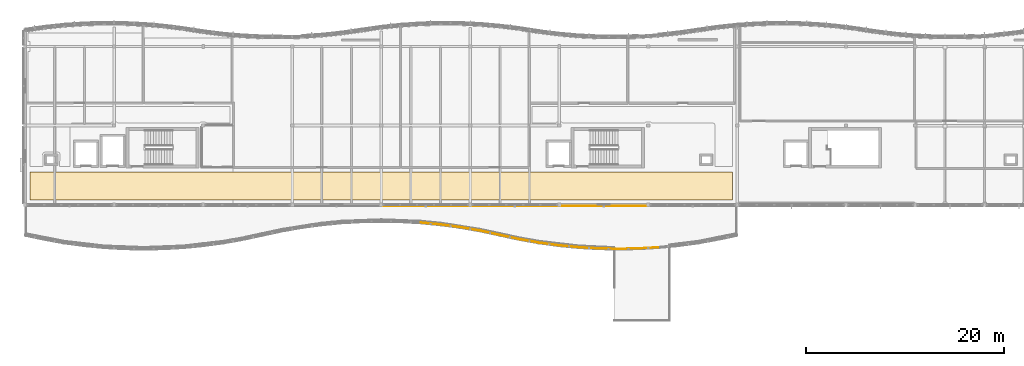
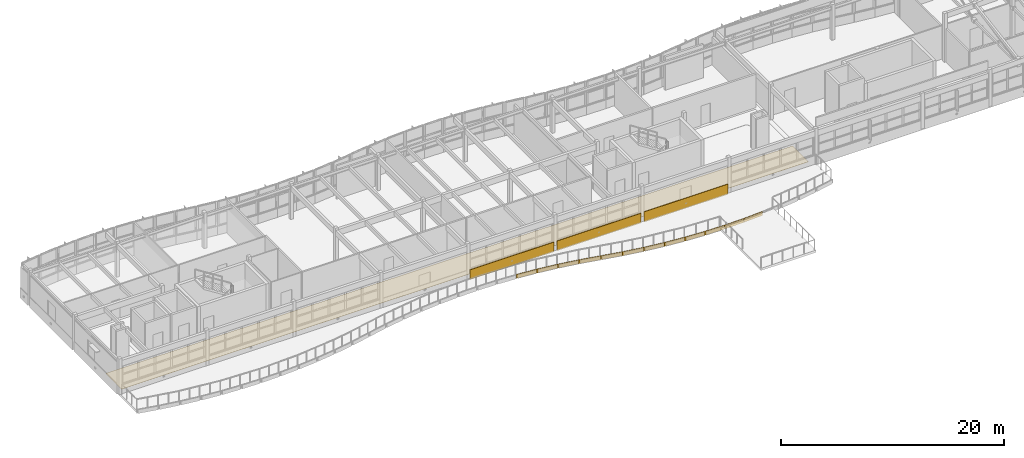
# One storey, part 30 of 33: 16 coverings.
"""IFC4 building model written with IfcOpenShell, lengths in metres."""

from ifc_helpers import new_model, si_unit, direction, frame, origin, place, context, subcontext, project, spatial, polyline, outline, extrude, material, layer, layer_set, type_object, element, save


model = new_model("IFC4")

# Units and contexts
model_context = context("Model", 3, precision=1e-05, world=origin(), true_north=direction((0.0, 1.0)))
body_context = subcontext(model_context, "Body", "Model", "MODEL_VIEW")
ifc_project = project(units=[si_unit("LENGTHUNIT", "METRE"), si_unit("AREAUNIT", "SQUARE_METRE"), si_unit("VOLUMEUNIT", "CUBIC_METRE"), si_unit("PLANEANGLEUNIT", "RADIAN"), si_unit("MASSUNIT", "GRAM", prefix="KILO")], contexts=[model_context])

# Site, building, storey
site_placement = place(None, origin())
site = spatial("IfcSite", under=ifc_project, at=site_placement, CompositionType="ELEMENT")
building_placement = place(site_placement, origin())
building = spatial("IfcBuilding", under=site, at=building_placement, Name="Tonlespit Floodbar School", CompositionType="ELEMENT")
storey_placement = place(building_placement, frame((0.0, 0.0, 16.199951171875)))
storey = spatial("IfcBuildingStorey", under=building, at=storey_placement, Name="L04", CompositionType="ELEMENT", Elevation=16.199951171875)

# Coverings
ifc_material_1 = material(Name="White Architectural Aluminium", Category="aluminium")
ifc_layer_1 = layer(ifc_material_1, 0.050048828125)
ifc_layer_set_1 = layer_set([ifc_layer_1], Name="White Architectural Aluminium")
covering_type_1 = type_object("IfcCoveringType", Name="Cladding_WhiteBand_50", PredefinedType="CLADDING", material=ifc_layer_set_1)
covering_1_placement = place(storey_placement, frame((0.0, 0.0, -0.119873046875)))
element("IfcCovering", 1, at=covering_1_placement, inside=storey, type_object=covering_type_1, Name="L04 curved white spandrel cladding 0334", PredefinedType="CLADDING", context=body_context, shape_type="SweptSolid", body=[
    extrude(outline(polyline([(106.840087890625, 103.8798828125), (98.159912109375, 103.8798828125), (98.159912109375, 103.830078125), (106.840087890625, 103.830078125), (106.840087890625, 103.8798828125)])), origin(), (0.0, 0.0, 1.0), 1.119873046875),
])
covering_2_placement = place(storey_placement, frame((0.0, 0.0, -0.119873046875)))
element("IfcCovering", 2, at=covering_2_placement, inside=storey, type_object=covering_type_1, Name="L04 curved white spandrel cladding 0335", PredefinedType="CLADDING", context=body_context, shape_type="SweptSolid", body=[
    extrude(outline(polyline([(97.840087890625, 103.89990234375), (89.159912109375, 103.89990234375), (89.159912109375, 103.85009765625), (97.840087890625, 103.85009765625), (97.840087890625, 103.89990234375)])), origin(), (0.0, 0.0, 1.0), 1.06982421875),
])
covering_3_placement = place(storey_placement, frame((0.0, 0.0, -0.119873046875)))
element("IfcCovering", 3, at=covering_3_placement, inside=storey, type_object=covering_type_1, Name="L04 curved white spandrel cladding 0336", PredefinedType="CLADDING", context=body_context, shape_type="SweptSolid", body=[
    extrude(outline(polyline([(88.840087890625, 103.89990234375), (80.159912109375, 103.89990234375), (80.159912109375, 103.85009765625), (88.840087890625, 103.85009765625), (88.840087890625, 103.89990234375)])), origin(), (0.0, 0.0, 1.0), 1.06982421875),
])
covering_4_placement = place(storey_placement, frame((0.0, 0.0, -0.300048828125)))
element("IfcCovering", 4, at=covering_4_placement, inside=storey, type_object=covering_type_1, Name="L04 curved white spandrel cladding 0364", PredefinedType="CLADDING", context=body_context, shape_type="SweptSolid", body=[
    extrude(outline(polyline([(84.0, 102.20947265625), (86.0, 102.01611328125), (86.0, 101.96630859375), (84.0, 102.159423828125), (84.0, 102.20947265625)])), origin(), (0.0, 0.0, 1.0), 0.420166015625),
])
covering_5_placement = place(storey_placement, frame((0.0, 0.0, -0.300048828125)))
element("IfcCovering", 5, at=covering_5_placement, inside=storey, type_object=covering_type_1, Name="L04 curved white spandrel cladding 0365", PredefinedType="CLADDING", context=body_context, shape_type="SweptSolid", body=[
    extrude(outline(polyline([(86.0, 102.01611328125), (88.0, 101.744384765625), (88.0, 101.694580078125), (86.0, 101.96630859375), (86.0, 102.01611328125)])), origin(), (0.0, 0.0, 1.0), 0.420166015625),
])
covering_6_placement = place(storey_placement, frame((0.0, 0.0, -0.300048828125)))
element("IfcCovering", 6, at=covering_6_placement, inside=storey, type_object=covering_type_1, Name="L04 curved white spandrel cladding 0366", PredefinedType="CLADDING", context=body_context, shape_type="SweptSolid", body=[
    extrude(outline(polyline([(88.0, 101.744384765625), (90.0, 101.39306640625), (90.0, 101.343017578125), (88.0, 101.694580078125), (88.0, 101.744384765625)])), origin(), (0.0, 0.0, 1.0), 0.420166015625),
])
covering_7_placement = place(storey_placement, frame((0.0, 0.0, -0.300048828125)))
element("IfcCovering", 7, at=covering_7_placement, inside=storey, type_object=covering_type_1, Name="L04 curved white spandrel cladding 0367", PredefinedType="CLADDING", context=body_context, shape_type="SweptSolid", body=[
    extrude(outline(polyline([(90.0, 101.39306640625), (92.0, 100.9599609375), (92.0, 100.909912109375), (90.0, 101.343017578125), (90.0, 101.39306640625)])), origin(), (0.0, 0.0, 1.0), 0.420166015625),
])
covering_8_placement = place(storey_placement, frame((0.0, 0.0, -0.300048828125)))
element("IfcCovering", 8, at=covering_8_placement, inside=storey, type_object=covering_type_1, Name="L04 curved white spandrel cladding 0368", PredefinedType="CLADDING", context=body_context, shape_type="SweptSolid", body=[
    extrude(outline(polyline([(92.0, 100.9599609375), (94.0, 100.527099609375), (94.0, 100.47705078125), (92.0, 100.909912109375), (92.0, 100.9599609375)])), origin(), (0.0, 0.0, 1.0), 0.420166015625),
])
covering_9_placement = place(storey_placement, frame((0.0, 0.0, -0.300048828125)))
element("IfcCovering", 9, at=covering_9_placement, inside=storey, type_object=covering_type_1, Name="L04 curved white spandrel cladding 0369", PredefinedType="CLADDING", context=body_context, shape_type="SweptSolid", body=[
    extrude(outline(polyline([(94.0, 100.527099609375), (96.0, 100.175537109375), (96.0, 100.12548828125), (94.0, 100.47705078125), (94.0, 100.527099609375)])), origin(), (0.0, 0.0, 1.0), 0.420166015625),
])
covering_10_placement = place(storey_placement, frame((0.0, 0.0, -0.300048828125)))
element("IfcCovering", 10, at=covering_10_placement, inside=storey, type_object=covering_type_1, Name="L04 curved white spandrel cladding 0370", PredefinedType="CLADDING", context=body_context, shape_type="SweptSolid", body=[
    extrude(outline(polyline([(96.0, 100.175537109375), (98.0, 99.90380859375), (98.0, 99.853759765625), (96.0, 100.12548828125), (96.0, 100.175537109375)])), origin(), (0.0, 0.0, 1.0), 0.420166015625),
])
covering_11_placement = place(storey_placement, frame((0.0, 0.0, -0.300048828125)))
element("IfcCovering", 11, at=covering_11_placement, inside=storey, type_object=covering_type_1, Name="L04 curved white spandrel cladding 0371", PredefinedType="CLADDING", context=body_context, shape_type="SweptSolid", body=[
    extrude(outline(polyline([(98.0, 99.90380859375), (100.0, 99.71044921875), (100.0, 99.660400390625), (98.0, 99.853759765625), (98.0, 99.90380859375)])), origin(), (0.0, 0.0, 1.0), 0.420166015625),
])
covering_12_placement = place(storey_placement, frame((0.0, 0.0, -0.300048828125)))
element("IfcCovering", 12, at=covering_12_placement, inside=storey, type_object=covering_type_1, Name="L04 curved white spandrel cladding 0372", PredefinedType="CLADDING", context=body_context, shape_type="SweptSolid", body=[
    extrude(outline(polyline([(100.0, 99.71044921875), (102.0, 99.594970703125), (102.0, 99.544921875), (100.0, 99.660400390625), (100.0, 99.71044921875)])), origin(), (0.0, 0.0, 1.0), 0.420166015625),
])
covering_13_placement = place(storey_placement, frame((0.0, 0.0, -0.300048828125)))
element("IfcCovering", 13, at=covering_13_placement, inside=storey, type_object=covering_type_1, Name="L04 curved white spandrel cladding 0373", PredefinedType="CLADDING", context=body_context, shape_type="SweptSolid", body=[
    extrude(outline(polyline([(102.0, 99.594970703125), (104.0, 99.556396484375), (104.0, 99.50634765625), (102.0, 99.544921875), (102.0, 99.594970703125)])), origin(), (0.0, 0.0, 1.0), 0.420166015625),
])
covering_14_placement = place(storey_placement, frame((0.0, 0.0, -0.300048828125)))
element("IfcCovering", 14, at=covering_14_placement, inside=storey, type_object=covering_type_1, Name="L04 curved white spandrel cladding 0374", PredefinedType="CLADDING", context=body_context, shape_type="SweptSolid", body=[
    extrude(outline(polyline([(104.0, 99.556396484375), (106.0, 99.594970703125), (106.0, 99.544921875), (104.0, 99.50634765625), (104.0, 99.556396484375)])), origin(), (0.0, 0.0, 1.0), 0.420166015625),
])
covering_15_placement = place(storey_placement, frame((0.0, 0.0, -0.300048828125)))
element("IfcCovering", 15, at=covering_15_placement, inside=storey, type_object=covering_type_1, Name="L04 curved white spandrel cladding 0375", PredefinedType="CLADDING", context=body_context, shape_type="SweptSolid", body=[
    extrude(outline(polyline([(106.0, 99.594970703125), (108.0, 99.71044921875), (108.0, 99.660400390625), (106.0, 99.544921875), (106.0, 99.594970703125)])), origin(), (0.0, 0.0, 1.0), 0.420166015625),
])
ifc_material_2 = material(Name="Terrazzo Tile")
ifc_layer_2 = layer(ifc_material_2, 0.02001953125)
ifc_layer_set_2 = layer_set([ifc_layer_2], Name="Terrazzo Tile")
covering_type_2 = type_object("IfcCoveringType", Name="Flooring_Terrazzo_20", PredefinedType="FLOORING", material=ifc_layer_set_2)
covering_16_placement = place(storey_placement, origin())
element("IfcCovering", 16, at=covering_16_placement, inside=storey, type_object=covering_type_2, Name="L04 Senior Secondary Corridor terrazzo flooring", PredefinedType="FLOORING", context=body_context, shape_type="SweptSolid", body=[
    extrude(outline(polyline([(115.530029296875, 107.330078125), (115.530029296875, 104.469970703125), (44.469970703125, 104.469970703125), (44.469970703125, 107.330078125), (115.530029296875, 107.330078125)])), origin(), (0.0, 0.0, 1.0), 0.02001953125),
])

save(model, "model.ifc")
